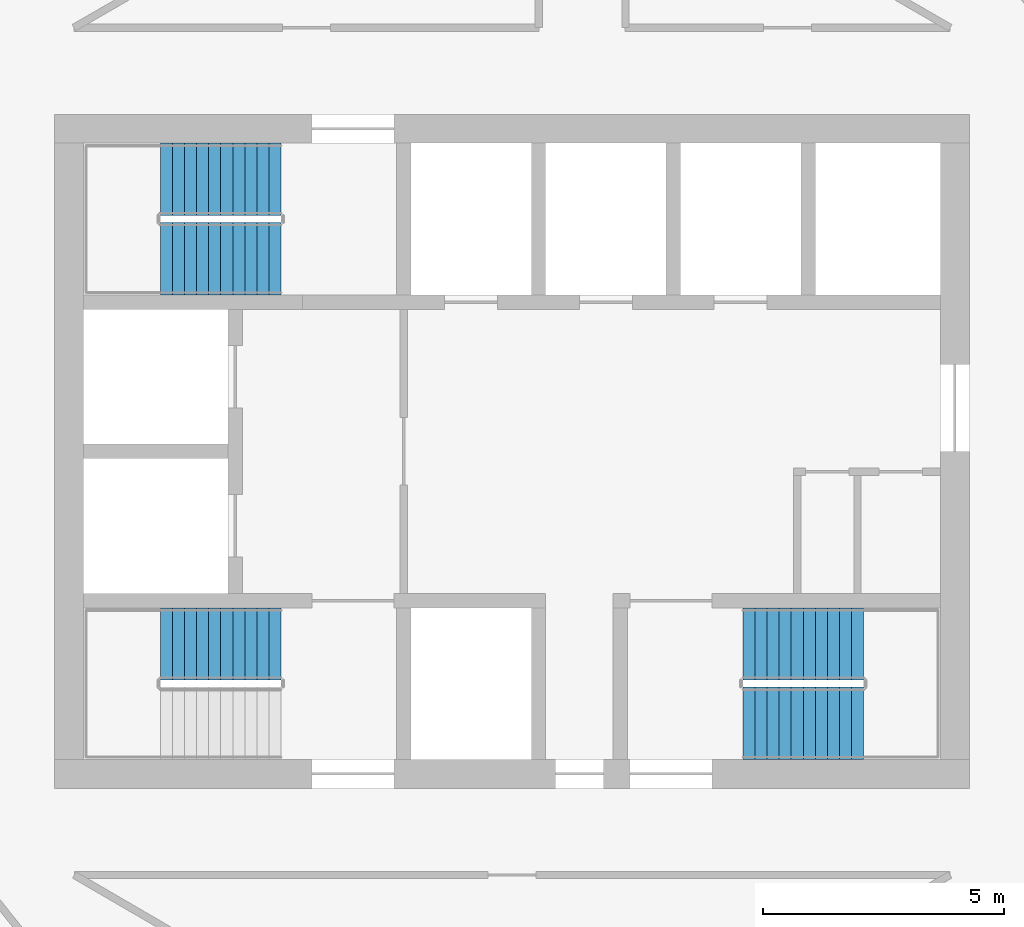
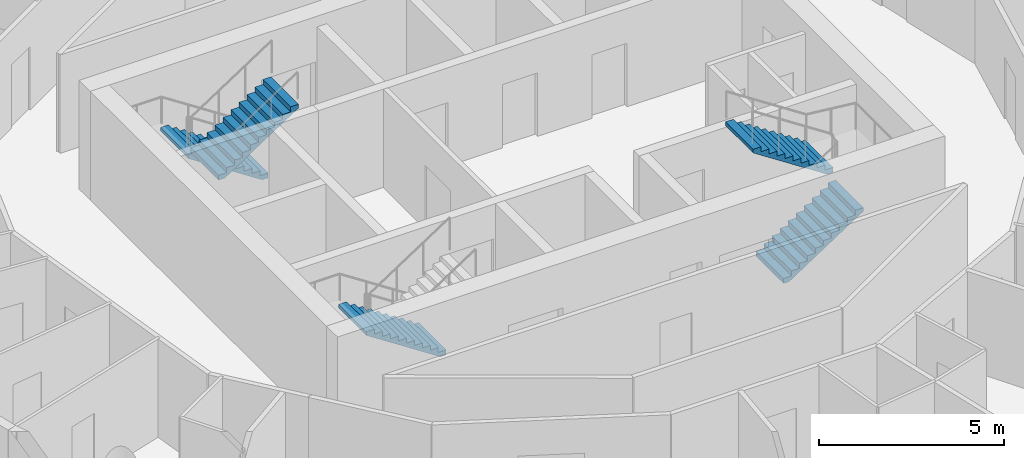
# One storey, part 10 of 11: 5 stair flights, 3 elements without a shape of their own.
"""IFC4 building model written with IfcOpenShell, lengths in metres."""

from ifc_helpers import new_model, si_unit, direction, frame, origin, place, context, subcontext, project, spatial, polyline, outline, extrude, material, type_object, element, aggregate, save


model = new_model("IFC4")

# Units and contexts
model_context = context("Model", 3, precision=1e-05, world=origin(), true_north=direction((0.0, 1.0)))
body_context = subcontext(model_context, "Body", "Model", "MODEL_VIEW")
ifc_project = project(units=[si_unit("LENGTHUNIT", "METRE"), si_unit("AREAUNIT", "SQUARE_METRE"), si_unit("VOLUMEUNIT", "CUBIC_METRE"), si_unit("PLANEANGLEUNIT", "RADIAN"), si_unit("MASSUNIT", "GRAM", prefix="KILO")], contexts=[model_context])

# Site, building, storey
site_placement = place(None, origin())
site = spatial("IfcSite", under=ifc_project, at=site_placement, CompositionType="ELEMENT")
building_placement = place(site_placement, origin())
building = spatial("IfcBuilding", under=site, at=building_placement, Name="Tracery Tower", CompositionType="ELEMENT")
storey_placement = place(building_placement, frame((0.0, 0.0, 263.39990234375)))
storey = spatial("IfcBuildingStorey", under=building, at=storey_placement, Name="L68", CompositionType="ELEMENT", Elevation=263.39990234375)

# Stair, stair flight
ifc_material_1 = material(Name="Concrete C32/40", Category="concrete")
stair_type = type_object("IfcStairType", Name="Core stair 22 risers", PredefinedType="HALF_TURN_STAIR", material=ifc_material_1)
stair_1_placement = place(storey_placement, origin())
stair_1 = element("IfcStair", 1, at=stair_1_placement, inside=storey, type_object=stair_type, Name="L68 stair ST1", PredefinedType="HALF_TURN_STAIR")
ifc_material_2 = material(Name="Concrete C32/40", Category="concrete")
stair_flight_type = type_object("IfcStairFlightType", Name="Core stair flight 11 risers", PredefinedType="STRAIGHT", material=ifc_material_2)
stair_flight_1_placement = place(storey_placement, frame((-4.800048828125, -4.0, 0.0), z_axis=(0.0, 0.0, 1.0), x_axis=(-1.0, 0.0, 0.0)))
stair_flight_1 = element("IfcStairFlight", 2, at=stair_flight_1_placement, type_object=stair_flight_type, Name="ST1 flight 1", NumberOfRisers=11, NumberOfTreads=10, PredefinedType="STRAIGHT", RiserHeight=0.163636364, TreadLength=0.25, context=body_context, shape_type="SweptSolid", body=[
    extrude(outline(polyline([(0.0, 0.0), (0.0, 0.002685546875), (0.0, 0.00537109375), (0.0, 0.008056640625), (0.0, 0.0107421875), (0.0, 0.013427734375), (0.0, 0.01611328125), (0.0, 0.018798828125), (0.0, 0.021484375), (0.0, 0.024169921875), (0.0, 0.02685546875), (0.0, 0.029541015625), (0.0, 0.0322265625), (0.0, 0.034912109375), (0.0, 0.03759765625), (0.0, 0.040283203125), (0.0, 0.04296875), (0.0, 0.045654296875), (0.0, 0.04833984375), (0.0, 0.051025390625), (0.0, 0.0537109375), (0.0, 0.056396484375), (0.0, 0.05908203125), (0.0, 0.061767578125), (0.0, 0.064453125), (0.0, 0.067138671875), (0.0, 0.06982421875), (0.0, 0.072509765625), (0.0, 0.0751953125), (0.0, 0.077880859375), (0.0, 0.08056640625), (0.0, 0.083251953125), (0.0, 0.0859375), (0.0, 0.088623046875), (0.0, 0.09130859375), (0.0, 0.093994140625), (0.0, 0.0966796875), (0.0, 0.099365234375), (0.0, 0.10205078125), (0.0, 0.104736328125), (0.0, 0.107421875), (0.0, 0.10986328125), (0.0, 0.112548828125), (0.0, 0.115234375), (0.0, 0.117919921875), (0.0, 0.12060546875), (0.0, 0.123291015625), (0.0, 0.1259765625), (0.0, 0.128662109375), (0.0, 0.13134765625), (0.0, 0.134033203125), (0.0, 0.13671875), (0.0, 0.139404296875), (0.0, 0.14208984375), (0.0, 0.144775390625), (0.0, 0.1474609375), (0.0, 0.150146484375), (0.0, 0.15283203125), (0.0, 0.155517578125), (0.0, 0.158203125), (0.0, 0.160888671875), (0.0, 0.16357421875), (0.25, 0.16357421875), (0.25, 0.327392578125), (0.5, 0.327392578125), (0.5, 0.490966796875), (0.75, 0.490966796875), (0.75, 0.654541015625), (1.0, 0.654541015625), (1.0, 0.818115234375), (1.25, 0.818115234375), (1.25, 0.98193359375), (1.5, 0.98193359375), (1.5, 1.1455078125), (1.75, 1.1455078125), (1.75, 1.30908203125), (2.0, 1.30908203125), (2.0, 1.47265625), (2.25, 1.47265625), (2.25, 1.636474609375), (2.5, 1.636474609375), (2.5, 1.634521484375), (2.5, 1.63232421875), (2.5, 1.63037109375), (2.5, 1.62841796875), (2.5, 1.62646484375), (2.5, 1.62451171875), (2.5, 1.62255859375), (2.5, 1.62060546875), (2.5, 1.61865234375), (2.5, 1.61669921875), (2.5, 1.61474609375), (2.5, 1.61279296875), (2.5, 1.61083984375), (2.5, 1.60888671875), (2.5, 1.60693359375), (2.5, 1.60498046875), (2.5, 1.60302734375), (2.5, 1.60107421875), (2.5, 1.59912109375), (2.5, 1.59716796875), (2.5, 1.59521484375), (2.5, 1.59326171875), (2.5, 1.59130859375), (2.5, 1.58935546875), (2.5, 1.58740234375), (2.5, 1.58544921875), (2.5, 1.58349609375), (2.5, 1.58154296875), (2.5, 1.57958984375), (2.5, 1.57763671875), (2.5, 1.57568359375), (2.5, 1.573486328125), (2.5, 1.571533203125), (2.5, 1.569580078125), (2.5, 1.567626953125), (2.5, 1.565673828125), (2.5, 1.563720703125), (2.5, 1.561767578125), (2.5, 1.559814453125), (2.5, 1.557861328125), (2.5, 1.555908203125), (2.5, 1.553955078125), (2.5, 1.552001953125), (2.5, 1.550048828125), (2.5, 1.548095703125), (2.5, 1.546142578125), (2.5, 1.544189453125), (2.5, 1.542236328125), (2.5, 1.540283203125), (2.5, 1.538330078125), (2.5, 1.536376953125), (2.5, 1.534423828125), (2.5, 1.532470703125), (2.5, 1.530517578125), (2.5, 1.528564453125), (2.5, 1.526611328125), (2.5, 1.524658203125), (2.5, 1.522705078125), (2.5, 1.520751953125), (2.5, 1.518798828125), (2.5, 1.516845703125), (0.182861328125, 0.0), (0.0, 0.0)])), frame((0.0, 0.75, 0.0), z_axis=(0.0, -1.0, 0.0), x_axis=(1.0, 0.0, 0.0)), (0.0, 0.0, 1.0), 1.5),
])
aggregate(stair_1, [stair_flight_1])

# Stair, stair flights
stair_2_placement = place(storey_placement, origin())
stair_2 = element("IfcStair", 3, at=stair_2_placement, inside=storey, type_object=stair_type, Name="L68 stair ST3", PredefinedType="HALF_TURN_STAIR")
stair_flight_2_placement = place(storey_placement, frame((-4.800048828125, 5.64990234375, 0.0), z_axis=(0.0, 0.0, 1.0), x_axis=(-1.0, 0.0, 0.0)))
stair_flight_2 = element("IfcStairFlight", 4, at=stair_flight_2_placement, type_object=stair_flight_type, Name="ST3 flight 1", NumberOfRisers=11, NumberOfTreads=10, PredefinedType="STRAIGHT", RiserHeight=0.163636364, TreadLength=0.25, context=body_context, shape_type="SweptSolid", body=[
    extrude(outline(polyline([(0.0, 0.0), (0.0, 0.002685546875), (0.0, 0.00537109375), (0.0, 0.008056640625), (0.0, 0.0107421875), (0.0, 0.013427734375), (0.0, 0.01611328125), (0.0, 0.018798828125), (0.0, 0.021484375), (0.0, 0.024169921875), (0.0, 0.02685546875), (0.0, 0.029541015625), (0.0, 0.0322265625), (0.0, 0.034912109375), (0.0, 0.03759765625), (0.0, 0.040283203125), (0.0, 0.04296875), (0.0, 0.045654296875), (0.0, 0.04833984375), (0.0, 0.051025390625), (0.0, 0.0537109375), (0.0, 0.056396484375), (0.0, 0.05908203125), (0.0, 0.061767578125), (0.0, 0.064453125), (0.0, 0.067138671875), (0.0, 0.06982421875), (0.0, 0.072509765625), (0.0, 0.0751953125), (0.0, 0.077880859375), (0.0, 0.08056640625), (0.0, 0.083251953125), (0.0, 0.0859375), (0.0, 0.088623046875), (0.0, 0.09130859375), (0.0, 0.093994140625), (0.0, 0.0966796875), (0.0, 0.099365234375), (0.0, 0.10205078125), (0.0, 0.104736328125), (0.0, 0.107421875), (0.0, 0.10986328125), (0.0, 0.112548828125), (0.0, 0.115234375), (0.0, 0.117919921875), (0.0, 0.12060546875), (0.0, 0.123291015625), (0.0, 0.1259765625), (0.0, 0.128662109375), (0.0, 0.13134765625), (0.0, 0.134033203125), (0.0, 0.13671875), (0.0, 0.139404296875), (0.0, 0.14208984375), (0.0, 0.144775390625), (0.0, 0.1474609375), (0.0, 0.150146484375), (0.0, 0.15283203125), (0.0, 0.155517578125), (0.0, 0.158203125), (0.0, 0.160888671875), (0.0, 0.16357421875), (0.25, 0.16357421875), (0.25, 0.327392578125), (0.5, 0.327392578125), (0.5, 0.490966796875), (0.75, 0.490966796875), (0.75, 0.654541015625), (1.0, 0.654541015625), (1.0, 0.818115234375), (1.25, 0.818115234375), (1.25, 0.98193359375), (1.5, 0.98193359375), (1.5, 1.1455078125), (1.75, 1.1455078125), (1.75, 1.30908203125), (2.0, 1.30908203125), (2.0, 1.47265625), (2.25, 1.47265625), (2.25, 1.636474609375), (2.5, 1.636474609375), (2.5, 1.634521484375), (2.5, 1.63232421875), (2.5, 1.63037109375), (2.5, 1.62841796875), (2.5, 1.62646484375), (2.5, 1.62451171875), (2.5, 1.62255859375), (2.5, 1.62060546875), (2.5, 1.61865234375), (2.5, 1.61669921875), (2.5, 1.61474609375), (2.5, 1.61279296875), (2.5, 1.61083984375), (2.5, 1.60888671875), (2.5, 1.60693359375), (2.5, 1.60498046875), (2.5, 1.60302734375), (2.5, 1.60107421875), (2.5, 1.59912109375), (2.5, 1.59716796875), (2.5, 1.59521484375), (2.5, 1.59326171875), (2.5, 1.59130859375), (2.5, 1.58935546875), (2.5, 1.58740234375), (2.5, 1.58544921875), (2.5, 1.58349609375), (2.5, 1.58154296875), (2.5, 1.57958984375), (2.5, 1.57763671875), (2.5, 1.57568359375), (2.5, 1.573486328125), (2.5, 1.571533203125), (2.5, 1.569580078125), (2.5, 1.567626953125), (2.5, 1.565673828125), (2.5, 1.563720703125), (2.5, 1.561767578125), (2.5, 1.559814453125), (2.5, 1.557861328125), (2.5, 1.555908203125), (2.5, 1.553955078125), (2.5, 1.552001953125), (2.5, 1.550048828125), (2.5, 1.548095703125), (2.5, 1.546142578125), (2.5, 1.544189453125), (2.5, 1.542236328125), (2.5, 1.540283203125), (2.5, 1.538330078125), (2.5, 1.536376953125), (2.5, 1.534423828125), (2.5, 1.532470703125), (2.5, 1.530517578125), (2.5, 1.528564453125), (2.5, 1.526611328125), (2.5, 1.524658203125), (2.5, 1.522705078125), (2.5, 1.520751953125), (2.5, 1.518798828125), (2.5, 1.516845703125), (0.182861328125, 0.0), (0.0, 0.0)])), frame((0.0, 0.75, 0.0), z_axis=(0.0, -1.0, 0.0), x_axis=(1.0, 0.0, 0.0)), (0.0, 0.0, 1.0), 1.5),
])
stair_flight_3_placement = place(storey_placement, frame((-7.300048828125, 4.0, 1.800048828125), z_axis=(0.0, 0.0, 1.0), x_axis=(1.0, 0.0, 0.0)))
stair_flight_3 = element("IfcStairFlight", 5, at=stair_flight_3_placement, type_object=stair_flight_type, Name="ST3 flight 2", NumberOfRisers=11, NumberOfTreads=10, PredefinedType="STRAIGHT", RiserHeight=0.163636364, TreadLength=0.25, context=body_context, shape_type="SweptSolid", body=[
    extrude(outline(polyline([(0.0, 0.0), (0.0, 0.002685546875), (0.0, 0.00537109375), (0.0, 0.008056640625), (0.0, 0.0107421875), (0.0, 0.013427734375), (0.0, 0.01611328125), (0.0, 0.018798828125), (0.0, 0.021484375), (0.0, 0.024169921875), (0.0, 0.02685546875), (0.0, 0.029541015625), (0.0, 0.0322265625), (0.0, 0.034912109375), (0.0, 0.03759765625), (0.0, 0.040283203125), (0.0, 0.04296875), (0.0, 0.045654296875), (0.0, 0.04833984375), (0.0, 0.051025390625), (0.0, 0.0537109375), (0.0, 0.056396484375), (0.0, 0.05908203125), (0.0, 0.061767578125), (0.0, 0.064453125), (0.0, 0.067138671875), (0.0, 0.06982421875), (0.0, 0.072509765625), (0.0, 0.0751953125), (0.0, 0.077880859375), (0.0, 0.08056640625), (0.0, 0.083251953125), (0.0, 0.0859375), (0.0, 0.088623046875), (0.0, 0.09130859375), (0.0, 0.093994140625), (0.0, 0.0966796875), (0.0, 0.099365234375), (0.0, 0.10205078125), (0.0, 0.104736328125), (0.0, 0.107421875), (0.0, 0.10986328125), (0.0, 0.112548828125), (0.0, 0.115234375), (0.0, 0.117919921875), (0.0, 0.12060546875), (0.0, 0.123291015625), (0.0, 0.1259765625), (0.0, 0.128662109375), (0.0, 0.13134765625), (0.0, 0.134033203125), (0.0, 0.13671875), (0.0, 0.139404296875), (0.0, 0.14208984375), (0.0, 0.144775390625), (0.0, 0.1474609375), (0.0, 0.150146484375), (0.0, 0.15283203125), (0.0, 0.155517578125), (0.0, 0.158203125), (0.0, 0.160888671875), (0.0, 0.16357421875), (0.25, 0.16357421875), (0.25, 0.327392578125), (0.5, 0.327392578125), (0.5, 0.490966796875), (0.75, 0.490966796875), (0.75, 0.654541015625), (1.0, 0.654541015625), (1.0, 0.818115234375), (1.25, 0.818115234375), (1.25, 0.98193359375), (1.5, 0.98193359375), (1.5, 1.1455078125), (1.75, 1.1455078125), (1.75, 1.30908203125), (2.0, 1.30908203125), (2.0, 1.47265625), (2.25, 1.47265625), (2.25, 1.636474609375), (2.5, 1.636474609375), (2.5, 1.634521484375), (2.5, 1.63232421875), (2.5, 1.63037109375), (2.5, 1.62841796875), (2.5, 1.62646484375), (2.5, 1.62451171875), (2.5, 1.62255859375), (2.5, 1.62060546875), (2.5, 1.61865234375), (2.5, 1.61669921875), (2.5, 1.61474609375), (2.5, 1.61279296875), (2.5, 1.61083984375), (2.5, 1.60888671875), (2.5, 1.60693359375), (2.5, 1.60498046875), (2.5, 1.60302734375), (2.5, 1.60107421875), (2.5, 1.59912109375), (2.5, 1.59716796875), (2.5, 1.59521484375), (2.5, 1.59326171875), (2.5, 1.59130859375), (2.5, 1.58935546875), (2.5, 1.58740234375), (2.5, 1.58544921875), (2.5, 1.58349609375), (2.5, 1.58154296875), (2.5, 1.57958984375), (2.5, 1.57763671875), (2.5, 1.57568359375), (2.5, 1.573486328125), (2.5, 1.571533203125), (2.5, 1.569580078125), (2.5, 1.567626953125), (2.5, 1.565673828125), (2.5, 1.563720703125), (2.5, 1.561767578125), (2.5, 1.559814453125), (2.5, 1.557861328125), (2.5, 1.555908203125), (2.5, 1.553955078125), (2.5, 1.552001953125), (2.5, 1.550048828125), (2.5, 1.548095703125), (2.5, 1.546142578125), (2.5, 1.544189453125), (2.5, 1.542236328125), (2.5, 1.540283203125), (2.5, 1.538330078125), (2.5, 1.536376953125), (2.5, 1.534423828125), (2.5, 1.532470703125), (2.5, 1.530517578125), (2.5, 1.528564453125), (2.5, 1.526611328125), (2.5, 1.524658203125), (2.5, 1.522705078125), (2.5, 1.520751953125), (2.5, 1.518798828125), (2.5, 1.516845703125), (0.182861328125, 0.0), (0.0, 0.0)])), frame((0.0, 0.75, 0.0), z_axis=(0.0, -1.0, 0.0), x_axis=(1.0, 0.0, 0.0)), (0.0, 0.0, 1.0), 1.5),
])
aggregate(stair_2, [stair_flight_2, stair_flight_3])

stair_3_placement = place(storey_placement, origin())
stair_3 = element("IfcStair", 6, at=stair_3_placement, inside=storey, type_object=stair_type, Name="L68 stair ST2", PredefinedType="HALF_TURN_STAIR")
stair_flight_4_placement = place(storey_placement, frame((4.800048828125, -5.64990234375, 0.0), z_axis=(0.0, 0.0, 1.0), x_axis=(1.0, 0.0, 0.0)))
stair_flight_4 = element("IfcStairFlight", 7, at=stair_flight_4_placement, type_object=stair_flight_type, Name="ST2 flight 1", NumberOfRisers=11, NumberOfTreads=10, PredefinedType="STRAIGHT", RiserHeight=0.163636364, TreadLength=0.25, context=body_context, shape_type="SweptSolid", body=[
    extrude(outline(polyline([(0.0, 0.0), (0.0, 0.002685546875), (0.0, 0.00537109375), (0.0, 0.008056640625), (0.0, 0.0107421875), (0.0, 0.013427734375), (0.0, 0.01611328125), (0.0, 0.018798828125), (0.0, 0.021484375), (0.0, 0.024169921875), (0.0, 0.02685546875), (0.0, 0.029541015625), (0.0, 0.0322265625), (0.0, 0.034912109375), (0.0, 0.03759765625), (0.0, 0.040283203125), (0.0, 0.04296875), (0.0, 0.045654296875), (0.0, 0.04833984375), (0.0, 0.051025390625), (0.0, 0.0537109375), (0.0, 0.056396484375), (0.0, 0.05908203125), (0.0, 0.061767578125), (0.0, 0.064453125), (0.0, 0.067138671875), (0.0, 0.06982421875), (0.0, 0.072509765625), (0.0, 0.0751953125), (0.0, 0.077880859375), (0.0, 0.08056640625), (0.0, 0.083251953125), (0.0, 0.0859375), (0.0, 0.088623046875), (0.0, 0.09130859375), (0.0, 0.093994140625), (0.0, 0.0966796875), (0.0, 0.099365234375), (0.0, 0.10205078125), (0.0, 0.104736328125), (0.0, 0.107421875), (0.0, 0.10986328125), (0.0, 0.112548828125), (0.0, 0.115234375), (0.0, 0.117919921875), (0.0, 0.12060546875), (0.0, 0.123291015625), (0.0, 0.1259765625), (0.0, 0.128662109375), (0.0, 0.13134765625), (0.0, 0.134033203125), (0.0, 0.13671875), (0.0, 0.139404296875), (0.0, 0.14208984375), (0.0, 0.144775390625), (0.0, 0.1474609375), (0.0, 0.150146484375), (0.0, 0.15283203125), (0.0, 0.155517578125), (0.0, 0.158203125), (0.0, 0.160888671875), (0.0, 0.16357421875), (0.25, 0.16357421875), (0.25, 0.327392578125), (0.5, 0.327392578125), (0.5, 0.490966796875), (0.75, 0.490966796875), (0.75, 0.654541015625), (1.0, 0.654541015625), (1.0, 0.818115234375), (1.25, 0.818115234375), (1.25, 0.98193359375), (1.5, 0.98193359375), (1.5, 1.1455078125), (1.75, 1.1455078125), (1.75, 1.30908203125), (2.0, 1.30908203125), (2.0, 1.47265625), (2.25, 1.47265625), (2.25, 1.636474609375), (2.5, 1.636474609375), (2.5, 1.634521484375), (2.5, 1.63232421875), (2.5, 1.63037109375), (2.5, 1.62841796875), (2.5, 1.62646484375), (2.5, 1.62451171875), (2.5, 1.62255859375), (2.5, 1.62060546875), (2.5, 1.61865234375), (2.5, 1.61669921875), (2.5, 1.61474609375), (2.5, 1.61279296875), (2.5, 1.61083984375), (2.5, 1.60888671875), (2.5, 1.60693359375), (2.5, 1.60498046875), (2.5, 1.60302734375), (2.5, 1.60107421875), (2.5, 1.59912109375), (2.5, 1.59716796875), (2.5, 1.59521484375), (2.5, 1.59326171875), (2.5, 1.59130859375), (2.5, 1.58935546875), (2.5, 1.58740234375), (2.5, 1.58544921875), (2.5, 1.58349609375), (2.5, 1.58154296875), (2.5, 1.57958984375), (2.5, 1.57763671875), (2.5, 1.57568359375), (2.5, 1.573486328125), (2.5, 1.571533203125), (2.5, 1.569580078125), (2.5, 1.567626953125), (2.5, 1.565673828125), (2.5, 1.563720703125), (2.5, 1.561767578125), (2.5, 1.559814453125), (2.5, 1.557861328125), (2.5, 1.555908203125), (2.5, 1.553955078125), (2.5, 1.552001953125), (2.5, 1.550048828125), (2.5, 1.548095703125), (2.5, 1.546142578125), (2.5, 1.544189453125), (2.5, 1.542236328125), (2.5, 1.540283203125), (2.5, 1.538330078125), (2.5, 1.536376953125), (2.5, 1.534423828125), (2.5, 1.532470703125), (2.5, 1.530517578125), (2.5, 1.528564453125), (2.5, 1.526611328125), (2.5, 1.524658203125), (2.5, 1.522705078125), (2.5, 1.520751953125), (2.5, 1.518798828125), (2.5, 1.516845703125), (0.182861328125, 0.0), (0.0, 0.0)])), frame((0.0, 0.75, 0.0), z_axis=(0.0, -1.0, 0.0), x_axis=(1.0, 0.0, 0.0)), (0.0, 0.0, 1.0), 1.5),
])
stair_flight_5_placement = place(storey_placement, frame((7.300048828125, -4.0, 1.800048828125), z_axis=(0.0, 0.0, 1.0), x_axis=(-1.0, 0.0, 0.0)))
stair_flight_5 = element("IfcStairFlight", 8, at=stair_flight_5_placement, type_object=stair_flight_type, Name="ST2 flight 2", NumberOfRisers=11, NumberOfTreads=10, PredefinedType="STRAIGHT", RiserHeight=0.163636364, TreadLength=0.25, context=body_context, shape_type="SweptSolid", body=[
    extrude(outline(polyline([(0.0, 0.0), (0.0, 0.002685546875), (0.0, 0.00537109375), (0.0, 0.008056640625), (0.0, 0.0107421875), (0.0, 0.013427734375), (0.0, 0.01611328125), (0.0, 0.018798828125), (0.0, 0.021484375), (0.0, 0.024169921875), (0.0, 0.02685546875), (0.0, 0.029541015625), (0.0, 0.0322265625), (0.0, 0.034912109375), (0.0, 0.03759765625), (0.0, 0.040283203125), (0.0, 0.04296875), (0.0, 0.045654296875), (0.0, 0.04833984375), (0.0, 0.051025390625), (0.0, 0.0537109375), (0.0, 0.056396484375), (0.0, 0.05908203125), (0.0, 0.061767578125), (0.0, 0.064453125), (0.0, 0.067138671875), (0.0, 0.06982421875), (0.0, 0.072509765625), (0.0, 0.0751953125), (0.0, 0.077880859375), (0.0, 0.08056640625), (0.0, 0.083251953125), (0.0, 0.0859375), (0.0, 0.088623046875), (0.0, 0.09130859375), (0.0, 0.093994140625), (0.0, 0.0966796875), (0.0, 0.099365234375), (0.0, 0.10205078125), (0.0, 0.104736328125), (0.0, 0.107421875), (0.0, 0.10986328125), (0.0, 0.112548828125), (0.0, 0.115234375), (0.0, 0.117919921875), (0.0, 0.12060546875), (0.0, 0.123291015625), (0.0, 0.1259765625), (0.0, 0.128662109375), (0.0, 0.13134765625), (0.0, 0.134033203125), (0.0, 0.13671875), (0.0, 0.139404296875), (0.0, 0.14208984375), (0.0, 0.144775390625), (0.0, 0.1474609375), (0.0, 0.150146484375), (0.0, 0.15283203125), (0.0, 0.155517578125), (0.0, 0.158203125), (0.0, 0.160888671875), (0.0, 0.16357421875), (0.25, 0.16357421875), (0.25, 0.327392578125), (0.5, 0.327392578125), (0.5, 0.490966796875), (0.75, 0.490966796875), (0.75, 0.654541015625), (1.0, 0.654541015625), (1.0, 0.818115234375), (1.25, 0.818115234375), (1.25, 0.98193359375), (1.5, 0.98193359375), (1.5, 1.1455078125), (1.75, 1.1455078125), (1.75, 1.30908203125), (2.0, 1.30908203125), (2.0, 1.47265625), (2.25, 1.47265625), (2.25, 1.636474609375), (2.5, 1.636474609375), (2.5, 1.634521484375), (2.5, 1.63232421875), (2.5, 1.63037109375), (2.5, 1.62841796875), (2.5, 1.62646484375), (2.5, 1.62451171875), (2.5, 1.62255859375), (2.5, 1.62060546875), (2.5, 1.61865234375), (2.5, 1.61669921875), (2.5, 1.61474609375), (2.5, 1.61279296875), (2.5, 1.61083984375), (2.5, 1.60888671875), (2.5, 1.60693359375), (2.5, 1.60498046875), (2.5, 1.60302734375), (2.5, 1.60107421875), (2.5, 1.59912109375), (2.5, 1.59716796875), (2.5, 1.59521484375), (2.5, 1.59326171875), (2.5, 1.59130859375), (2.5, 1.58935546875), (2.5, 1.58740234375), (2.5, 1.58544921875), (2.5, 1.58349609375), (2.5, 1.58154296875), (2.5, 1.57958984375), (2.5, 1.57763671875), (2.5, 1.57568359375), (2.5, 1.573486328125), (2.5, 1.571533203125), (2.5, 1.569580078125), (2.5, 1.567626953125), (2.5, 1.565673828125), (2.5, 1.563720703125), (2.5, 1.561767578125), (2.5, 1.559814453125), (2.5, 1.557861328125), (2.5, 1.555908203125), (2.5, 1.553955078125), (2.5, 1.552001953125), (2.5, 1.550048828125), (2.5, 1.548095703125), (2.5, 1.546142578125), (2.5, 1.544189453125), (2.5, 1.542236328125), (2.5, 1.540283203125), (2.5, 1.538330078125), (2.5, 1.536376953125), (2.5, 1.534423828125), (2.5, 1.532470703125), (2.5, 1.530517578125), (2.5, 1.528564453125), (2.5, 1.526611328125), (2.5, 1.524658203125), (2.5, 1.522705078125), (2.5, 1.520751953125), (2.5, 1.518798828125), (2.5, 1.516845703125), (0.182861328125, 0.0), (0.0, 0.0)])), frame((0.0, 0.75, 0.0), z_axis=(0.0, -1.0, 0.0), x_axis=(1.0, 0.0, 0.0)), (0.0, 0.0, 1.0), 1.5),
])
aggregate(stair_3, [stair_flight_4, stair_flight_5])

save(model, "model.ifc")
